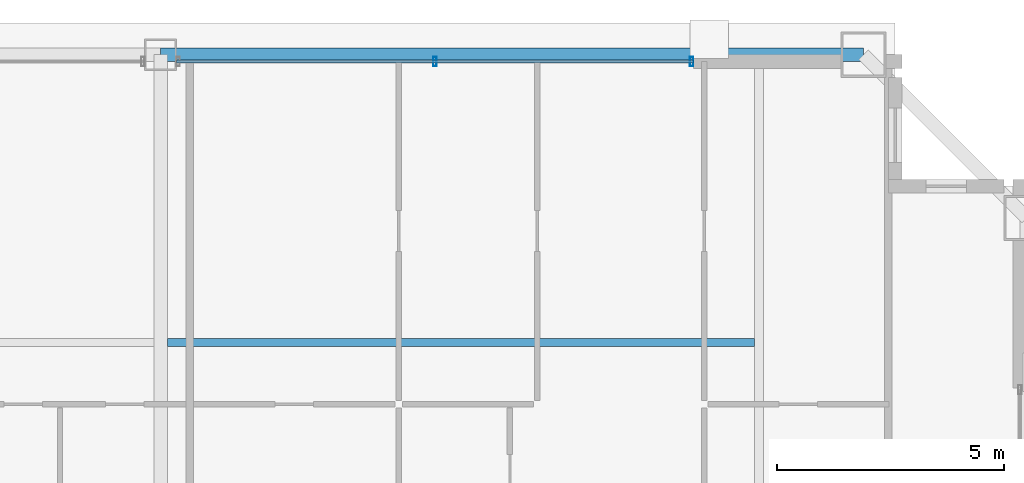
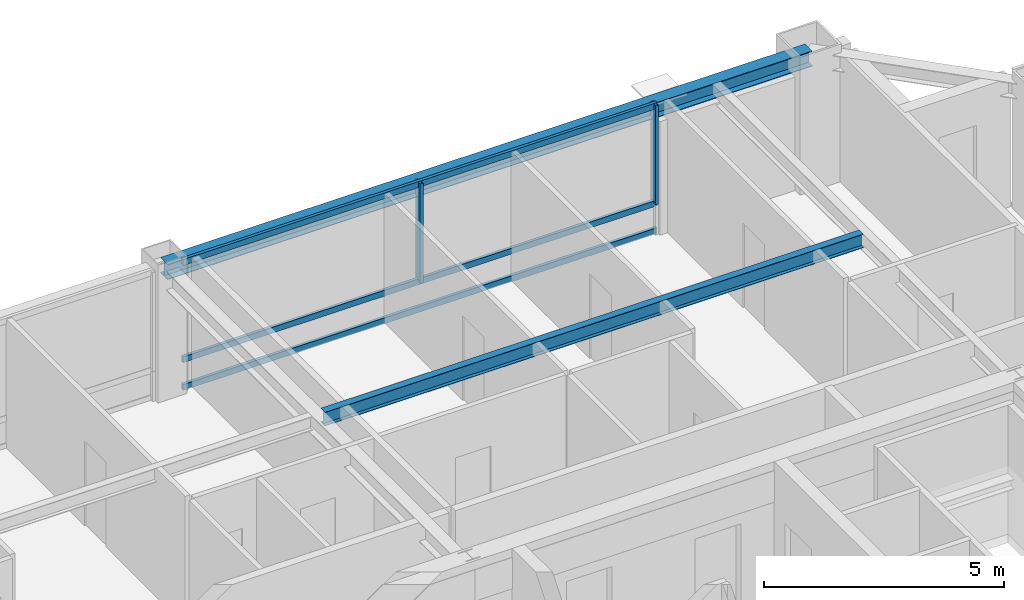
# One storey, part 19 of 35: 5 members, 2 beams, 1 element without a shape of its own.
"""IFC4 building model written with IfcOpenShell, lengths in metres."""

from ifc_helpers import new_model, si_unit, direction, frame, origin, origin_2d, place, context, subcontext, project, spatial, hollow_rectangle, i_section, extrude, source, transform, mapped, material, layer, layer_set, material_profile, profile_set, type_object, element, aggregate, save


model = new_model("IFC4")

# Units and contexts
model_context = context("Model", 3, precision=1e-05, world=origin(), true_north=direction((0.0, 1.0)))
body_context = subcontext(model_context, "Body", "Model", "MODEL_VIEW")
ifc_project = project(units=[si_unit("LENGTHUNIT", "METRE"), si_unit("AREAUNIT", "SQUARE_METRE"), si_unit("VOLUMEUNIT", "CUBIC_METRE"), si_unit("PLANEANGLEUNIT", "RADIAN"), si_unit("MASSUNIT", "GRAM", prefix="KILO"), si_unit("THERMODYNAMICTEMPERATUREUNIT", "KELVIN"), si_unit("POWERUNIT", "WATT")], contexts=[model_context])

# Site, building, storey
site_placement = place(None, origin())
site = spatial("IfcSite", under=ifc_project, at=site_placement, CompositionType="ELEMENT")
building_placement = place(site_placement, origin())
building = spatial("IfcBuilding", under=site, at=building_placement, Name="Yuzanri Waterfront Tower", CompositionType="ELEMENT")
storey_placement = place(building_placement, frame((0.0, 0.0, 289.10009765625)))
storey = spatial("IfcBuildingStorey", under=building, at=storey_placement, Name="L77", CompositionType="ELEMENT", Elevation=289.10009765625)

# Beams
ifc_material_1 = material(Name="Steel Q355B", Category="steel")
ifc_material_profile_1 = material_profile(ifc_material_1, i_section(OverallWidth=0.175048828125, OverallDepth=0.35009765625, WebThickness=0.007080078125, FlangeThickness=0.010986328125, at=origin_2d()), Name="HN 350x175x7x11")
ifc_profile_set_1 = profile_set([ifc_material_profile_1], Name="Steel Q355B")
beam_type_1 = type_object("IfcBeamType", Name="Floor Joist Q355B HN 350x175", PredefinedType="JOIST", material=ifc_profile_set_1)
shared_shape_1 = source(origin(), body_context, "Body", "SweptSolid", [
    extrude(i_section(OverallWidth=0.175048828125, OverallDepth=0.35009765625, WebThickness=0.007080078125, FlangeThickness=0.010986328125, at=origin_2d()), origin(), (0.0, 0.0, 1.0), 12.9501953125),
])
beam_1_placement = place(storey_placement, frame((37.14990234375, 38.550048828125, 3.10498046875), z_axis=(1.0, 0.0, 0.0), x_axis=(0.0, 1.0, 0.0)))
element("IfcBeam", 1, at=beam_1_placement, inside=storey, type_object=beam_type_1, Name="L77 North Bay Joist E", PredefinedType="JOIST", context=body_context, shape_type="MappedRepresentation", body=[
    mapped(shared_shape_1, transform((0.0, 0.0, 0.0), scale=1.0)),
])
ifc_material_2 = material(Name="Steel Q355B", Category="steel")
ifc_material_profile_2 = material_profile(ifc_material_2, i_section(OverallWidth=0.300048828125, OverallDepth=0.389892578125, WebThickness=0.010009765625, FlangeThickness=0.01611328125, at=origin_2d()), Name="HM 390x300x10x16")
ifc_profile_set_2 = profile_set([ifc_material_profile_2], Name="Steel Q355B")
beam_type_2 = type_object("IfcBeamType", Name="Perimeter Spandrel Q355B HM 390x300", PredefinedType="SPANDREL", material=ifc_profile_set_2)
shared_shape_2 = source(origin(), body_context, "Body", "SweptSolid", [
    extrude(i_section(OverallWidth=0.300048828125, OverallDepth=0.389892578125, WebThickness=0.010009765625, FlangeThickness=0.01611328125, at=origin_2d()), origin(), (0.0, 0.0, 1.0), 15.5),
])
beam_2_placement = place(storey_placement, frame((52.5, 44.89990234375, 3.0849609375), z_axis=(-1.0, 0.0, 0.0), x_axis=(0.0, -1.0, 0.0)))
element("IfcBeam", 2, at=beam_2_placement, inside=storey, type_object=beam_type_2, Name="L77 Perimeter Spandrel N3-N2", PredefinedType="SPANDREL", context=body_context, shape_type="MappedRepresentation", body=[
    mapped(shared_shape_2, transform((0.0, 0.0, 0.0), scale=1.0)),
])

# Curtain wall, members
ifc_material_3 = material(Name="Anodized Architectural Bronze", Category="metal")
ifc_layer = layer(ifc_material_3, 0.159912109375)
ifc_layer_set = layer_set([ifc_layer], Name="Anodized Architectural Bronze")
curtain_wall_type = type_object("IfcCurtainWallType", Name="Anodized Bronze High-Rise Penthouse High-Wind Unitized Curtain Wall 6900", PredefinedType="NOTDEFINED", material=ifc_layer_set)
curtain_wall_placement = place(storey_placement, origin())
curtain_wall = element("IfcCurtainWall", 3, at=curtain_wall_placement, inside=storey, type_object=curtain_wall_type, Name="L77 Curtain Wall CW-L77-NR", PredefinedType="NOTDEFINED")
ifc_material_4 = material(Name="Anodized Architectural Bronze", Category="metal")
ifc_material_profile_3 = material_profile(ifc_material_4, hollow_rectangle(XDim=0.074951171875, YDim=0.199951171875, WallThickness=0.00390625, at=origin_2d()), Name="CWM 75x200")
ifc_profile_set_3 = profile_set([ifc_material_profile_3], Name="Anodized Architectural Bronze")
member_type_1 = type_object("IfcMemberType", Name="Anodized Bronze Primary Curtain-Wall Mullion 75x200", PredefinedType="MULLION", material=ifc_profile_set_3)
shared_shape_3 = source(origin(), body_context, "Body", "SweptSolid", [
    extrude(hollow_rectangle(XDim=0.074951171875, YDim=0.199951171875, WallThickness=0.00390625, at=origin_2d()), origin(), (0.0, 0.0, 1.0), 2.52392578125),
])
member_1_placement = place(storey_placement, frame((43.050048828125, 44.75, 0.755859375), z_axis=(0.0, 0.0, 1.0), x_axis=(1.0, 0.0, 0.0)))
member_1 = element("IfcMember", 4, at=member_1_placement, type_object=member_type_1, Name="CW-L77-NR Upper Mullion 01", PredefinedType="MULLION", context=body_context, shape_type="MappedRepresentation", body=[
    mapped(shared_shape_3, transform((0.0, 0.0, 0.0), scale=1.0)),
])
member_2_placement = place(storey_placement, frame((48.7099609375, 44.75, 0.755859375), z_axis=(0.0, 0.0, 1.0), x_axis=(1.0, 0.0, 0.0)))
member_2 = element("IfcMember", 5, at=member_2_placement, type_object=member_type_1, Name="CW-L77-NR Upper Mullion 02", PredefinedType="MULLION", context=body_context, shape_type="MappedRepresentation", body=[
    mapped(shared_shape_3, transform((0.0, 0.0, 0.0), scale=1.0)),
])
ifc_material_5 = material(Name="Anodized Architectural Bronze", Category="metal")
ifc_material_profile_4 = material_profile(ifc_material_5, hollow_rectangle(XDim=0.074951171875, YDim=0.14990234375, WallThickness=0.00390625, at=origin_2d()), Name="CWT 75x150")
ifc_profile_set_4 = profile_set([ifc_material_profile_4], Name="Anodized Architectural Bronze")
member_type_2 = type_object("IfcMemberType", Name="Anodized Bronze Primary Curtain-Wall Transom 75x150", PredefinedType="USERDEFINED", material=ifc_profile_set_4)
shared_shape_4 = source(origin(), body_context, "Body", "SweptSolid", [
    extrude(hollow_rectangle(XDim=0.074951171875, YDim=0.14990234375, WallThickness=0.00390625, at=origin_2d()), origin(), (0.0, 0.0, 1.0), 11.39990234375),
])
member_3_placement = place(storey_placement, frame((37.35009765625, 44.75, 0.0498046875), z_axis=(1.0, 0.0, 0.0), x_axis=(0.0, 1.0, 0.0)))
member_3 = element("IfcMember", 6, at=member_3_placement, type_object=member_type_2, Name="CW-L77-NR Transom 1", ObjectType="TRANSOM", PredefinedType="USERDEFINED", context=body_context, shape_type="MappedRepresentation", body=[
    mapped(shared_shape_4, transform((0.0, 0.0, 0.0), scale=1.0)),
])
member_4_placement = place(storey_placement, frame((37.35009765625, 44.75, 0.75390625), z_axis=(1.0, 0.0, 0.0), x_axis=(0.0, 1.0, 0.0)))
member_4 = element("IfcMember", 7, at=member_4_placement, type_object=member_type_2, Name="CW-L77-NR Transom 2", ObjectType="TRANSOM", PredefinedType="USERDEFINED", context=body_context, shape_type="MappedRepresentation", body=[
    mapped(shared_shape_4, transform((0.0, 0.0, 0.0), scale=1.0)),
])
member_5_placement = place(storey_placement, frame((37.35009765625, 44.75, 3.22998046875), z_axis=(1.0, 0.0, 0.0), x_axis=(0.0, 1.0, 0.0)))
member_5 = element("IfcMember", 8, at=member_5_placement, type_object=member_type_2, Name="CW-L77-NR Transom 3", ObjectType="TRANSOM", PredefinedType="USERDEFINED", context=body_context, shape_type="MappedRepresentation", body=[
    mapped(shared_shape_4, transform((0.0, 0.0, 0.0), scale=1.0)),
])
aggregate(curtain_wall, [member_1, member_2, member_3, member_4, member_5])

save(model, "model.ifc")
